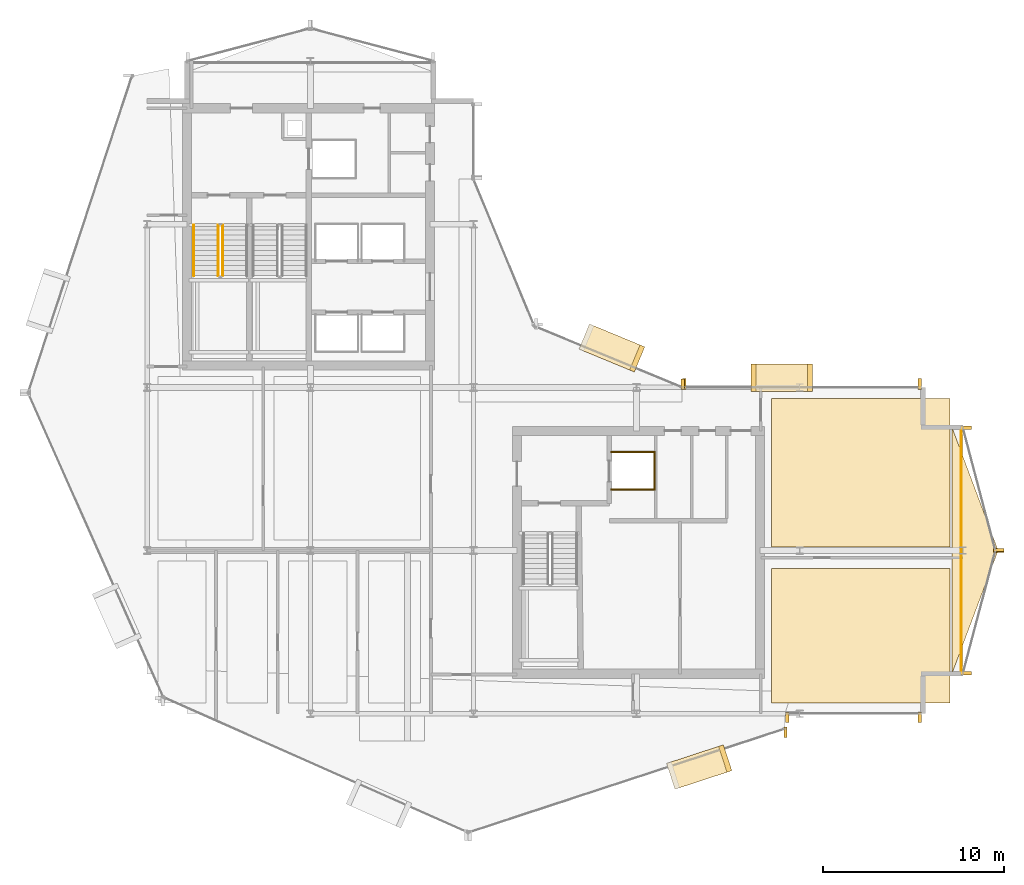
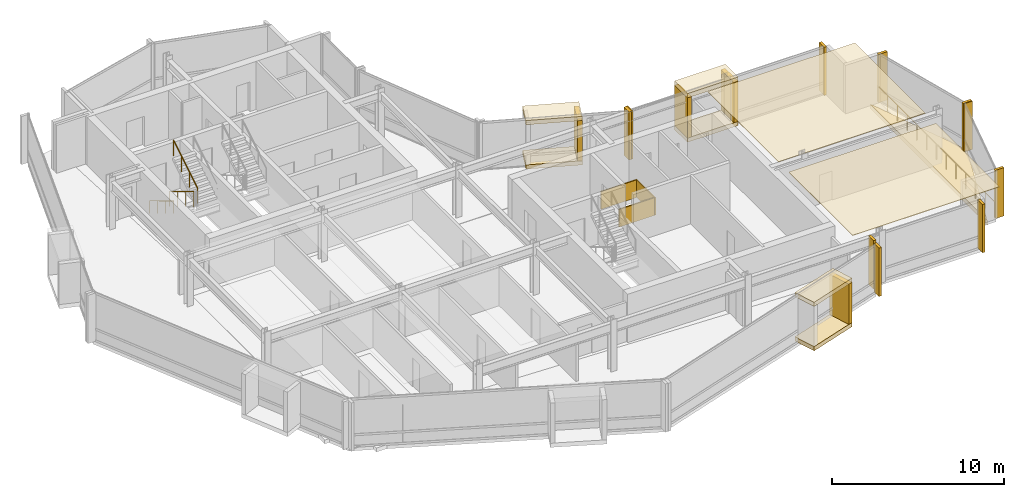
# One storey, part 26 of 27: 26 coverings, 4 railings.
"""IFC4 building model written with IfcOpenShell, lengths in metres."""

from ifc_helpers import new_model, si_unit, direction, frame, origin, origin_2d, place, context, subcontext, project, spatial, polyline, rectangle, circle, outline, extrude, material, layer, layer_set, type_object, element, save


model = new_model("IFC4")

# Units and contexts
model_context = context("Model", 3, precision=1e-05, world=origin(), true_north=direction((0.0, 1.0)))
body_context = subcontext(model_context, "Body", "Model", "MODEL_VIEW")
ifc_project = project(units=[si_unit("LENGTHUNIT", "METRE"), si_unit("AREAUNIT", "SQUARE_METRE"), si_unit("VOLUMEUNIT", "CUBIC_METRE"), si_unit("PLANEANGLEUNIT", "RADIAN"), si_unit("MASSUNIT", "GRAM", prefix="KILO")], contexts=[model_context])

# Site, building, storey
site_placement = place(None, origin())
site = spatial("IfcSite", under=ifc_project, at=site_placement, CompositionType="ELEMENT")
building_placement = place(site_placement, origin())
building = spatial("IfcBuilding", under=site, at=building_placement, Name="Solvaryn Broadcast Tower", CompositionType="ELEMENT")
storey_placement = place(building_placement, frame((0.0, 0.0, 221.0)))
storey = spatial("IfcBuildingStorey", under=building, at=storey_placement, Name="L55", CompositionType="ELEMENT", Elevation=221.0)

# Coverings
ifc_material_1 = material(Name="Micro-Perforated Acoustic Gypsum Ceiling", Category="concrete")
ifc_layer_1 = layer(ifc_material_1, 0.0400390625)
ifc_layer_set_1 = layer_set([ifc_layer_1], Name="CV-CEIL-ACOUSTIC")
covering_type_1 = type_object("IfcCoveringType", Name="CV-CEIL-ACOUSTIC", PredefinedType="CEILING", material=ifc_layer_set_1)
covering_1_placement = place(storey_placement, frame((0.0, 0.0, 3.3798828125)))
element("IfcCovering", 1, at=covering_1_placement, inside=storey, type_object=covering_type_1, Name="L55 Room Acoustic Ceiling 7", PredefinedType="CEILING", context=body_context, shape_type="SweptSolid", body=[
    extrude(outline(polyline([(43.449951171875, 9.60009765625), (53.300048828125, 9.60009765625), (53.300048828125, 17.0), (43.449951171875, 17.0), (43.449951171875, 9.60009765625)])), origin(), (0.0, 0.0, 1.0), 0.0400390625),
])
covering_2_placement = place(storey_placement, frame((0.0, 0.0, 3.3798828125)))
element("IfcCovering", 2, at=covering_2_placement, inside=storey, type_object=covering_type_1, Name="L55 Room Acoustic Ceiling 8", PredefinedType="CEILING", context=body_context, shape_type="SweptSolid", body=[
    extrude(outline(polyline([(43.449951171875, 18.199951171875), (53.300048828125, 18.199951171875), (53.300048828125, 26.39990234375), (43.449951171875, 26.39990234375), (43.449951171875, 18.199951171875)])), origin(), (0.0, 0.0, 1.0), 0.0400390625),
])
ifc_material_2 = material(Name="Fire-Rated Gypsum Shaftwall Liner", Category="concrete")
ifc_layer_2 = layer(ifc_material_2, 0.080078125)
ifc_layer_set_2 = layer_set([ifc_layer_2], Name="CV-SHAFT-LINER")
covering_type_2 = type_object("IfcCoveringType", Name="CV-SHAFT-LINER", PredefinedType="CLADDING", material=ifc_layer_set_2)
for number, where, z_axis, x_axis, name in (
    (3, (35.800048828125, 23.43994140625, 0.0), (0.0, 0.0, 1.0), (1.0, 0.0, 0.0), "L55 FL2 Hoistway Shaft Liner North"),
    (4, (35.800048828125, 21.360107421875, 0.0), (0.0, 0.0, 1.0), (1.0, 0.0, 0.0), "L55 FL2 Hoistway Shaft Liner South"),
):
    element("IfcCovering", number, at=place(storey_placement, frame(where, z_axis=z_axis, x_axis=x_axis)), inside=storey, type_object=covering_type_2, Name=name, PredefinedType="CLADDING", context=body_context, shape_type="SweptSolid", body=[
        extrude(rectangle(XDim=2.4599609375, YDim=0.080078125, at=origin_2d()), origin(), (0.0, 0.0, 1.0), 1.25),
    ])
covering_3_placement = place(storey_placement, frame((36.989990234375, 22.39990234375, 0.0), z_axis=(0.0, 0.0, 1.0), x_axis=(1.0, 0.0, 0.0)))
element("IfcCovering", 5, at=covering_3_placement, inside=storey, type_object=covering_type_2, Name="L55 FL2 Hoistway Shaft Liner East", PredefinedType="CLADDING", context=body_context, shape_type="SweptSolid", body=[
    extrude(rectangle(XDim=0.080078125, YDim=2.159912109375, at=origin_2d()), origin(), (0.0, 0.0, 1.0), 1.25),
])
ifc_material_3 = material(Name="Glazed Architectural Terracotta Rainscreen Cladding", Category="masonry")
ifc_layer_3 = layer(ifc_material_3, 0.280029296875)
ifc_layer_set_3 = layer_set([ifc_layer_3], Name="CV-TC-CLAD")
covering_type_3 = type_object("IfcCoveringType", Name="CV-TC-CLAD", PredefinedType="CLADDING", material=ifc_layer_set_3)
for number, where, z_axis, x_axis, name in (
    (6, (39.4541015625, 6.054931640625, 3.1298828125), (0.0, 0.0, 1.0), (0.950244253402, 0.311505792684, 0.0), "L55 Projecting Stone Window Box Hood 4"),
    (7, (39.4541015625, 6.054931640625, -0.01025390625), (0.0, 0.0, 1.0), (0.950244253402, 0.311505792684, 0.0), "L55 Projecting Stone Window Box Sill 4"),
):
    element("IfcCovering", number, at=place(storey_placement, frame(where, z_axis=z_axis, x_axis=x_axis)), inside=storey, type_object=covering_type_3, Name=name, PredefinedType="CLADDING", context=body_context, shape_type="SweptSolid", body=[
        extrude(rectangle(XDim=3.300048828125, YDim=1.5, at=origin_2d()), origin(), (0.0, 0.0, 1.0), 0.300048828125),
    ])
covering_4_placement = place(storey_placement, frame((40.888916015625, 6.525390625, 0.27978515625), z_axis=(0.0, 0.0, 1.0), x_axis=(0.950244253402, 0.311505792684, 0.0)))
element("IfcCovering", 8, at=covering_4_placement, inside=storey, type_object=covering_type_3, Name="L55 Projecting Stone Window Box Cheek 4-2", PredefinedType="CLADDING", context=body_context, shape_type="SweptSolid", body=[
    extrude(rectangle(XDim=0.280029296875, YDim=1.5, at=origin_2d()), origin(), (0.0, 0.0, 1.0), 2.860107421875),
])
for number, where, z_axis, x_axis, name in (
    (9, (34.636962890625, 29.174072265625, 3.1298828125), (0.0, 0.0, 1.0), (-0.923879532511, 0.382683432365, 0.0), "L55 Projecting Stone Window Box Hood 5"),
    (10, (34.636962890625, 29.174072265625, -0.01025390625), (0.0, 0.0, 1.0), (-0.923879532511, 0.382683432365, 0.0), "L55 Projecting Stone Window Box Sill 5"),
):
    element("IfcCovering", number, at=place(storey_placement, frame(where, z_axis=z_axis, x_axis=x_axis)), inside=storey, type_object=covering_type_3, Name=name, PredefinedType="CLADDING", context=body_context, shape_type="SweptSolid", body=[
        extrude(rectangle(XDim=3.300048828125, YDim=1.5, at=origin_2d()), origin(), (0.0, 0.0, 1.0), 0.300048828125),
    ])
covering_5_placement = place(storey_placement, frame((36.031982421875, 28.59619140625, 0.27978515625), z_axis=(0.0, 0.0, 1.0), x_axis=(-0.923879532511, 0.382683432365, 0.0)))
element("IfcCovering", 11, at=covering_5_placement, inside=storey, type_object=covering_type_3, Name="L55 Projecting Stone Window Box Cheek 5-1", PredefinedType="CLADDING", context=body_context, shape_type="SweptSolid", body=[
    extrude(rectangle(XDim=0.280029296875, YDim=1.5, at=origin_2d()), origin(), (0.0, 0.0, 1.0), 2.860107421875),
])
for number, where, z_axis, x_axis, name in (
    (12, (44.0, 27.530029296875, 3.1298828125), (0.0, 0.0, 1.0), (1.0, 0.0, 0.0), "L55 Projecting Stone Window Box Hood 6"),
    (13, (44.0, 27.530029296875, -0.01025390625), (0.0, 0.0, 1.0), (1.0, 0.0, 0.0), "L55 Projecting Stone Window Box Sill 6"),
):
    element("IfcCovering", number, at=place(storey_placement, frame(where, z_axis=z_axis, x_axis=x_axis)), inside=storey, type_object=covering_type_3, Name=name, PredefinedType="CLADDING", context=body_context, shape_type="SweptSolid", body=[
        extrude(rectangle(XDim=3.39990234375, YDim=1.5, at=origin_2d()), origin(), (0.0, 0.0, 1.0), 0.300048828125),
    ])
for number, where, z_axis, x_axis, name in (
    (14, (42.43994140625, 27.530029296875, 0.27978515625), (0.0, 0.0, 1.0), (1.0, 0.0, 0.0), "L55 Projecting Stone Window Box Cheek 6-1"),
    (15, (45.56005859375, 27.530029296875, 0.27978515625), (0.0, 0.0, 1.0), (1.0, 0.0, 0.0), "L55 Projecting Stone Window Box Cheek 6-2"),
):
    element("IfcCovering", number, at=place(storey_placement, frame(where, z_axis=z_axis, x_axis=x_axis)), inside=storey, type_object=covering_type_3, Name=name, PredefinedType="CLADDING", context=body_context, shape_type="SweptSolid", body=[
        extrude(rectangle(XDim=0.280029296875, YDim=1.5, at=origin_2d()), origin(), (0.0, 0.0, 1.0), 2.860107421875),
    ])
ifc_material_4 = material(Name="Extruded Architectural Terracotta Fin", Category="masonry")
ifc_layer_4 = layer(ifc_material_4, 0.179931640625)
ifc_layer_set_4 = layer_set([ifc_layer_4], Name="CV-TC-FIN")
covering_type_4 = type_object("IfcCoveringType", Name="CV-TC-FIN", PredefinedType="USERDEFINED", material=ifc_layer_set_4)
for number, where, z_axis, x_axis, name in (
    (16, (44.209716796875, 7.982666015625, 0.0), (0.0, 0.0, 1.0), (1.0, 0.0, 0.0), "L55 Terracotta Vertical Fin FIN-L55-DR4-M01"),
    (17, (38.541259765625, 27.177978515625, 0.0), (0.0, 0.0, 1.0), (1.0, 0.0, 0.0), "L55 Terracotta Vertical Fin FIN-L55-CN1-M00"),
    (18, (44.31201171875, 8.8125, 0.0), (0.0, 0.0, 1.0), (1.0, 0.0, 0.0), "L55 Terracotta Vertical Fin FIN-L55-S2-M00"),
    (19, (51.6201171875, 8.8125, 0.0), (0.0, 0.0, 1.0), (1.0, 0.0, 0.0), "L55 Terracotta Vertical Fin FIN-L55-S2-M01"),
):
    element("IfcCovering", number, at=place(storey_placement, frame(where, z_axis=z_axis, x_axis=x_axis)), inside=storey, type_object=covering_type_4, Name=name, ObjectType="FIN", PredefinedType="USERDEFINED", context=body_context, shape_type="SweptSolid", body=[
        extrude(rectangle(XDim=0.179931640625, YDim=0.580078125, at=origin_2d()), origin(), (0.0, 0.0, 1.0), 3.419921875),
    ])
for number, where, z_axis, x_axis, name in (
    (20, (54.1953125, 24.77099609375, 0.0), (0.0, 0.0, 1.0), (1.0, 0.0, 0.0), "L55 Terracotta Vertical Fin FIN-L55-ET1-M00"),
    (21, (55.979736328125, 18.029052734375, 0.0), (0.0, 0.0, 1.0), (1.0, 0.0, 0.0), "L55 Terracotta Vertical Fin FIN-L55-ET1-M01"),
    (22, (55.979736328125, 17.970947265625, 0.0), (0.0, 0.0, 1.0), (1.0, 0.0, 0.0), "L55 Terracotta Vertical Fin FIN-L55-ET2-M00"),
    (23, (54.1953125, 11.22900390625, 0.0), (0.0, 0.0, 1.0), (1.0, 0.0, 0.0), "L55 Terracotta Vertical Fin FIN-L55-ET2-M01"),
):
    element("IfcCovering", number, at=place(storey_placement, frame(where, z_axis=z_axis, x_axis=x_axis)), inside=storey, type_object=covering_type_4, Name=name, ObjectType="FIN", PredefinedType="USERDEFINED", context=body_context, shape_type="SweptSolid", body=[
        extrude(rectangle(XDim=0.580078125, YDim=0.179931640625, at=origin_2d()), origin(), (0.0, 0.0, 1.0), 3.419921875),
    ])
for number, where, z_axis, x_axis, name in (
    (24, (38.6298828125, 27.1875, 0.0), (0.0, 0.0, 1.0), (1.0, 0.0, 0.0), "L55 Terracotta Vertical Fin FIN-L55-IH-M00"),
    (25, (51.6201171875, 27.1875, 0.0), (0.0, 0.0, 1.0), (1.0, 0.0, 0.0), "L55 Terracotta Vertical Fin FIN-L55-IH-M01"),
):
    element("IfcCovering", number, at=place(storey_placement, frame(where, z_axis=z_axis, x_axis=x_axis)), inside=storey, type_object=covering_type_4, Name=name, ObjectType="FIN", PredefinedType="USERDEFINED", context=body_context, shape_type="SweptSolid", body=[
        extrude(rectangle(XDim=0.179931640625, YDim=0.580078125, at=origin_2d()), origin(), (0.0, 0.0, 1.0), 3.419921875),
    ])
ifc_material_5 = material(Name="Sculpted Architectural Terracotta Wave Fascia", Category="masonry")
ifc_layer_5 = layer(ifc_material_5, 0.340087890625)
ifc_layer_set_5 = layer_set([ifc_layer_5], Name="CV-WAVE-TRAY")
covering_type_5 = type_object("IfcCoveringType", Name="CV-WAVE-TRAY", PredefinedType="CLADDING", material=ifc_layer_set_5)
covering_6_placement = place(storey_placement, frame((0.0, 0.0, -0.300048828125)))
element("IfcCovering", 26, at=covering_6_placement, inside=storey, type_object=covering_type_5, Name="L55 East Curved Wing Deck", PredefinedType="CLADDING", context=body_context, shape_type="SweptSolid", body=[
    extrude(outline(polyline([(53.39990234375, 11.199951171875), (55.949951171875, 18.0), (53.39990234375, 24.800048828125), (53.39990234375, 11.199951171875)])), origin(), (0.0, 0.0, 1.0), 0.330078125),
])

# Railings
ifc_material_6 = material(Name="Painted Steel Stair Well Guard", Category="steel")
railing_type_1 = type_object("IfcRailingType", Name="RL-STAIR-GUARD", PredefinedType="BALUSTRADE", material=ifc_material_6)
railing_1_placement = place(storey_placement, frame((12.909912109375, 35.9599609375, 0.168212890625)))
element("IfcRailing", 27, at=railing_1_placement, inside=storey, type_object=railing_type_1, Name="L55 ST1 stair guard 1", PredefinedType="BALUSTRADE", context=body_context, shape_type="SweptSolid", body=[
    extrude(circle(Radius=0.02392578125, at=origin_2d()), frame((0.0, 0.0, 1.076171875), z_axis=(0.0, -0.857242210791, 0.514913383045), x_axis=(1.0, 0.0, 0.0)), (0.0, 0.0, 1.0), 3.266357421875),
    extrude(circle(Radius=0.02099609375, at=origin_2d()), origin(), (0.0, 0.0, 1.0), 1.052001953125),
    extrude(circle(Radius=0.02099609375, at=origin_2d()), frame((0.0, -0.933349609375, 0.560546875)), (0.0, 0.0, 1.0), 1.052001953125),
    extrude(circle(Radius=0.02099609375, at=origin_2d()), frame((0.0, -1.86669921875, 1.121337890625)), (0.0, 0.0, 1.0), 1.052001953125),
    extrude(circle(Radius=0.02099609375, at=origin_2d()), frame((0.0, -2.800048828125, 1.681884765625)), (0.0, 0.0, 1.0), 1.052001953125),
])
railing_2_placement = place(storey_placement, frame((13.159912109375, 33.159912109375, 2.01806640625)))
element("IfcRailing", 28, at=railing_2_placement, inside=storey, type_object=railing_type_1, Name="L55 ST1 stair guard 3", PredefinedType="BALUSTRADE", context=body_context, shape_type="SweptSolid", body=[
    extrude(circle(Radius=0.02392578125, at=origin_2d()), frame((0.0, 0.0, 1.076171875), z_axis=(0.0, 0.857242210791, 0.514913383045), x_axis=(-1.0, 0.0, 0.0)), (0.0, 0.0, 1.0), 3.266357421875),
    extrude(circle(Radius=0.02099609375, at=origin_2d()), origin(), (0.0, 0.0, 1.0), 1.052001953125),
    extrude(circle(Radius=0.02099609375, at=origin_2d()), frame((0.0, 0.933349609375, 0.560546875)), (0.0, 0.0, 1.0), 1.052001953125),
    extrude(circle(Radius=0.02099609375, at=origin_2d()), frame((0.0, 1.86669921875, 1.121337890625)), (0.0, 0.0, 1.0), 1.052001953125),
    extrude(circle(Radius=0.02099609375, at=origin_2d()), frame((0.0, 2.800048828125, 1.681884765625)), (0.0, 0.0, 1.0), 1.052001953125),
])
ifc_material_7 = material(Name="Brushed Stainless Steel Tubular Handrail", Category="steel")
railing_type_2 = type_object("IfcRailingType", Name="RL-STAIR-HANDRAIL", PredefinedType="HANDRAIL", material=ifc_material_7)
railing_3_placement = place(storey_placement, frame((11.570068359375, 35.9599609375, 0.168212890625)))
element("IfcRailing", 29, at=railing_3_placement, inside=storey, type_object=railing_type_2, Name="L55 ST1 stair handrail 1", PredefinedType="HANDRAIL", context=body_context, shape_type="SweptSolid", body=[
    extrude(circle(Radius=0.02392578125, at=origin_2d()), frame((0.0, 0.0, 0.8759765625), z_axis=(0.0, -0.857242210791, 0.514913383045), x_axis=(1.0, 0.0, 0.0)), (0.0, 0.0, 1.0), 3.266357421875),
    extrude(circle(Radius=0.02099609375, at=origin_2d()), origin(), (0.0, 0.0, 1.0), 0.851806640625),
    extrude(circle(Radius=0.02099609375, at=origin_2d()), frame((0.0, -0.933349609375, 0.560546875)), (0.0, 0.0, 1.0), 0.851806640625),
    extrude(circle(Radius=0.02099609375, at=origin_2d()), frame((0.0, -1.86669921875, 1.121337890625)), (0.0, 0.0, 1.0), 0.851806640625),
    extrude(circle(Radius=0.02099609375, at=origin_2d()), frame((0.0, -2.800048828125, 1.681884765625)), (0.0, 0.0, 1.0), 0.851806640625),
])
ifc_material_8 = material(Name="Stainless Steel and Laminated Glass Guard", Category="steel")
railing_type_3 = type_object("IfcRailingType", Name="RL-TER-1150", PredefinedType="BALUSTRADE", material=ifc_material_8)
railing_4_placement = place(storey_placement, frame((53.919921875, 11.199951171875, 0.0)))
element("IfcRailing", 30, at=railing_4_placement, inside=storey, type_object=railing_type_3, Name="L55 East Wing Spandrel Edge Guard", PredefinedType="BALUSTRADE", context=body_context, shape_type="SweptSolid", body=[
    extrude(circle(Radius=0.02392578125, at=origin_2d()), frame((0.0, 0.0, 1.1259765625), z_axis=(0.0, 1.0, 0.0), x_axis=(-1.0, 0.0, 0.0)), (0.0, 0.0, 1.0), 13.60009765625),
    extrude(circle(Radius=0.02099609375, at=origin_2d()), origin(), (0.0, 0.0, 1.0), 1.101806640625),
    extrude(circle(Radius=0.02099609375, at=origin_2d()), frame((0.0, 1.13330078125, 0.0)), (0.0, 0.0, 1.0), 1.101806640625),
    extrude(circle(Radius=0.02099609375, at=origin_2d()), frame((0.0, 2.2666015625, 0.0)), (0.0, 0.0, 1.0), 1.101806640625),
    extrude(circle(Radius=0.02099609375, at=origin_2d()), frame((0.0, 3.39990234375, 0.0)), (0.0, 0.0, 1.0), 1.101806640625),
    extrude(circle(Radius=0.02099609375, at=origin_2d()), frame((0.0, 4.533447265625, 0.0)), (0.0, 0.0, 1.0), 1.101806640625),
    extrude(circle(Radius=0.02099609375, at=origin_2d()), frame((0.0, 5.666748046875, 0.0)), (0.0, 0.0, 1.0), 1.101806640625),
    extrude(circle(Radius=0.02099609375, at=origin_2d()), frame((0.0, 6.800048828125, 0.0)), (0.0, 0.0, 1.0), 1.101806640625),
    extrude(circle(Radius=0.02099609375, at=origin_2d()), frame((0.0, 7.933349609375, 0.0)), (0.0, 0.0, 1.0), 1.101806640625),
    extrude(circle(Radius=0.02099609375, at=origin_2d()), frame((0.0, 9.066650390625, 0.0)), (0.0, 0.0, 1.0), 1.101806640625),
    extrude(circle(Radius=0.02099609375, at=origin_2d()), frame((0.0, 10.2001953125, 0.0)), (0.0, 0.0, 1.0), 1.101806640625),
    extrude(circle(Radius=0.02099609375, at=origin_2d()), frame((0.0, 11.33349609375, 0.0)), (0.0, 0.0, 1.0), 1.101806640625),
    extrude(circle(Radius=0.02099609375, at=origin_2d()), frame((0.0, 12.466796875, 0.0)), (0.0, 0.0, 1.0), 1.101806640625),
    extrude(circle(Radius=0.02099609375, at=origin_2d()), frame((0.0, 13.60009765625, 0.0)), (0.0, 0.0, 1.0), 1.101806640625),
])

save(model, "model.ifc")
